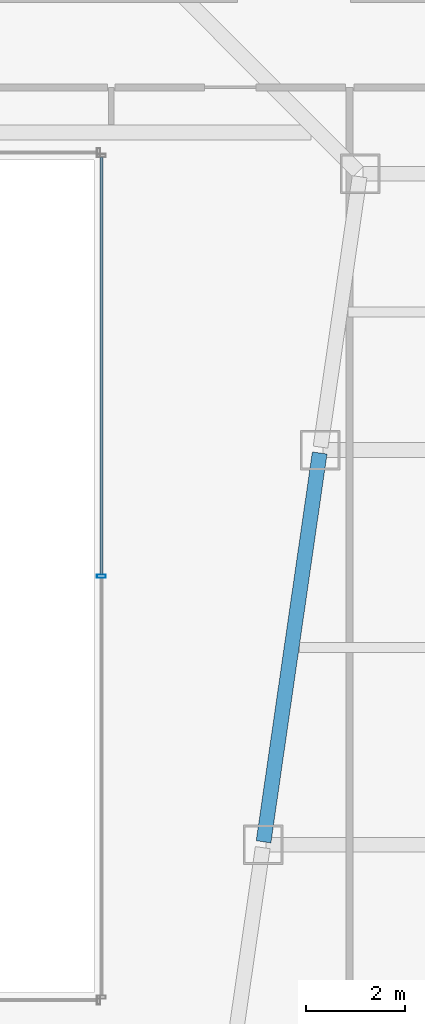
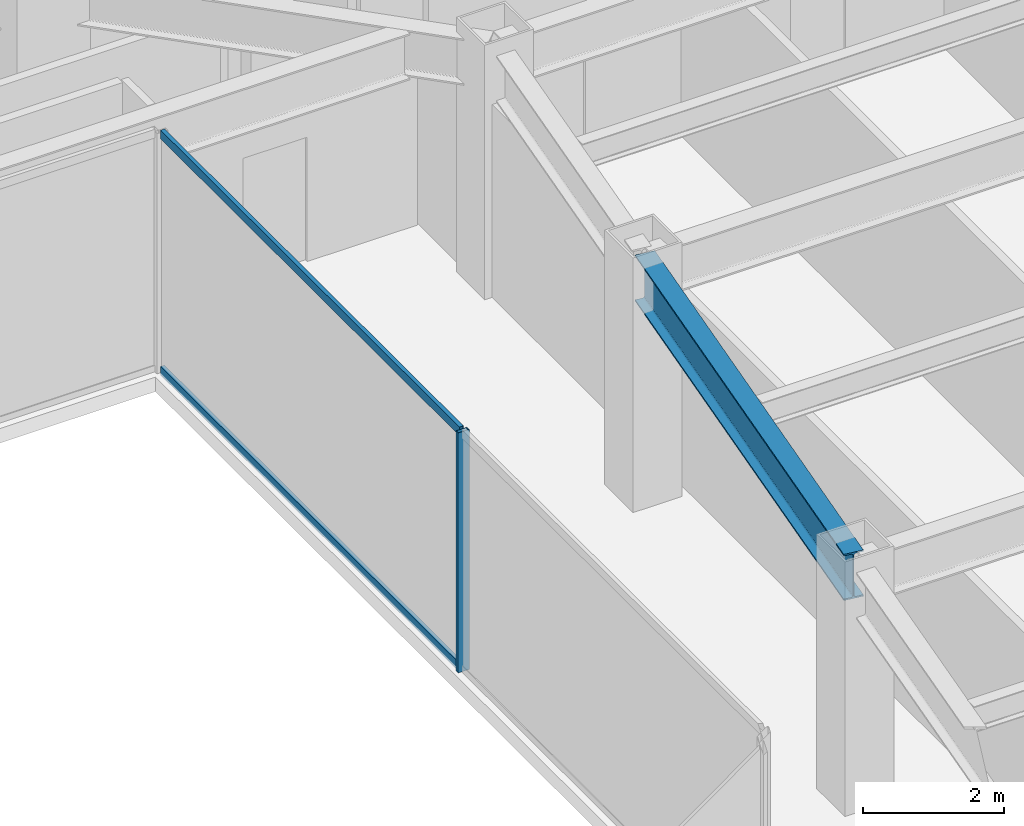
# One storey, part 20 of 47: 3 members, 1 beam, 1 element without a shape of its own.
"""IFC4 building model written with IfcOpenShell, lengths in metres."""

from ifc_helpers import new_model, si_unit, direction, frame, origin, origin_2d, place, context, subcontext, project, spatial, hollow_rectangle, i_section, extrude, material, material_profile, profile_set, type_object, element, aggregate, save


model = new_model("IFC4")

# Units and contexts
model_context = context("Model", 3, precision=1e-05, world=origin(), true_north=direction((0.0, 1.0)))
body_context = subcontext(model_context, "Body", "Model", "MODEL_VIEW")
ifc_project = project(units=[si_unit("LENGTHUNIT", "METRE"), si_unit("AREAUNIT", "SQUARE_METRE"), si_unit("VOLUMEUNIT", "CUBIC_METRE"), si_unit("PLANEANGLEUNIT", "RADIAN"), si_unit("MASSUNIT", "GRAM", prefix="KILO")], contexts=[model_context])

# Site, building, storey
site_placement = place(None, origin())
site = spatial("IfcSite", under=ifc_project, at=site_placement, CompositionType="ELEMENT")
building_placement = place(site_placement, origin())
building = spatial("IfcBuilding", under=site, at=building_placement, Name="Saevonmaru Cultural Tower", CompositionType="ELEMENT")
storey_placement = place(building_placement, frame((0.0, 0.0, 64.800048828125)))
storey = spatial("IfcBuildingStorey", under=building, at=storey_placement, Name="L13", CompositionType="ELEMENT", Elevation=64.800048828125)

# Beam
ifc_material_1 = material(Name="Steel SM420", Category="steel")
ifc_material_profile_1 = material_profile(ifc_material_1, i_section(OverallWidth=0.300048828125, OverallDepth=0.800048828125, WebThickness=0.013916015625, FlangeThickness=0.02587890625, FilletRadius=0.028076171875, at=origin_2d()), Name="H-800x300x14x26")
ifc_profile_set_1 = profile_set([ifc_material_profile_1], Name="Steel SM420")
beam_type = type_object("IfcBeamType", Name="BM-G-H800", PredefinedType="BEAM", material=ifc_profile_set_1)
beam_placement = place(storey_placement, frame((39.236572265625, 24.059326171875, 3.75), z_axis=(0.142902032203, 0.989736838353, 0.0), x_axis=(-0.989736838353, 0.142902032203, 0.0)))
element("IfcBeam", 1, at=beam_placement, inside=storey, type_object=beam_type, Name="L13 East Atrium Girder 4", PredefinedType="BEAM", context=body_context, shape_type="SweptSolid", body=[
    extrude(i_section(OverallWidth=0.300048828125, OverallDepth=0.800048828125, WebThickness=0.013916015625, FlangeThickness=0.02587890625, FilletRadius=0.028076171875, at=origin_2d()), origin(), (0.0, 0.0, 1.0), 7.963134765625),
])

# Curtain wall, members
ifc_material_2 = material(Name="Satin Bronze Anodised Aluminium", Category="aluminium")
curtain_wall_type = type_object("IfcCurtainWallType", Name="CW-ATR-GLZ", PredefinedType="NOTDEFINED", material=ifc_material_2)
curtain_wall_placement = place(storey_placement, origin())
curtain_wall = element("IfcCurtainWall", 2, at=curtain_wall_placement, inside=storey, type_object=curtain_wall_type, Name="L13 Vertical Atrium Glazed Smoke Screen 2", PredefinedType="NOTDEFINED")
ifc_material_profile_2 = material_profile(ifc_material_2, hollow_rectangle(XDim=0.06494140625, YDim=0.179931640625, WallThickness=0.00390625, at=origin_2d()), Name="ALU-MULL-180x65x4")
ifc_profile_set_2 = profile_set([ifc_material_profile_2], Name="Satin Bronze Anodised Aluminium")
member_type_1 = type_object("IfcMemberType", Name="ML-CW-INT-180x65", PredefinedType="MULLION", material=ifc_profile_set_2)
member_1_placement = place(storey_placement, frame((35.949951171875, 29.43994140625, 0.0), z_axis=(0.0, 0.0, 1.0), x_axis=(0.0, 1.0, 0.0)))
member_1 = element("IfcMember", 3, at=member_1_placement, type_object=member_type_1, Name="CW-ATR-L13-2 mullion 2", PredefinedType="MULLION", context=body_context, shape_type="SweptSolid", body=[
    extrude(hollow_rectangle(XDim=0.06494140625, YDim=0.179931640625, WallThickness=0.00390625, at=origin_2d()), origin(), (0.0, 0.0, 1.0), 4.14990234375),
])
ifc_material_profile_3 = material_profile(ifc_material_2, hollow_rectangle(XDim=0.06494140625, YDim=0.14990234375, WallThickness=0.00390625, at=origin_2d()), Name="ALU-TRAN-150x65x4")
ifc_profile_set_3 = profile_set([ifc_material_profile_3], Name="Satin Bronze Anodised Aluminium")
member_type_2 = type_object("IfcMemberType", Name="TR-CW-INT-150x65", PredefinedType="USERDEFINED", material=ifc_profile_set_3)
member_2_placement = place(storey_placement, frame((35.949951171875, 29.472412109375, 0.032470703125), z_axis=(0.0, 1.0, 0.0), x_axis=(-1.0, 0.0, 0.0)))
member_2 = element("IfcMember", 4, at=member_2_placement, type_object=member_type_2, Name="CW-ATR-L13-2 transom 2.1", ObjectType="TRANSOM", PredefinedType="USERDEFINED", context=body_context, shape_type="SweptSolid", body=[
    extrude(hollow_rectangle(XDim=0.06494140625, YDim=0.14990234375, WallThickness=0.00390625, at=origin_2d()), origin(), (0.0, 0.0, 1.0), 8.465087890625),
])
member_3_placement = place(storey_placement, frame((35.949951171875, 29.472412109375, 4.117431640625), z_axis=(0.0, 1.0, 0.0), x_axis=(-1.0, 0.0, 0.0)))
member_3 = element("IfcMember", 5, at=member_3_placement, type_object=member_type_2, Name="CW-ATR-L13-2 transom 2.2", ObjectType="TRANSOM", PredefinedType="USERDEFINED", context=body_context, shape_type="SweptSolid", body=[
    extrude(hollow_rectangle(XDim=0.06494140625, YDim=0.14990234375, WallThickness=0.00390625, at=origin_2d()), origin(), (0.0, 0.0, 1.0), 8.465087890625),
])
aggregate(curtain_wall, [member_1, member_2, member_3])

save(model, "model.ifc")
